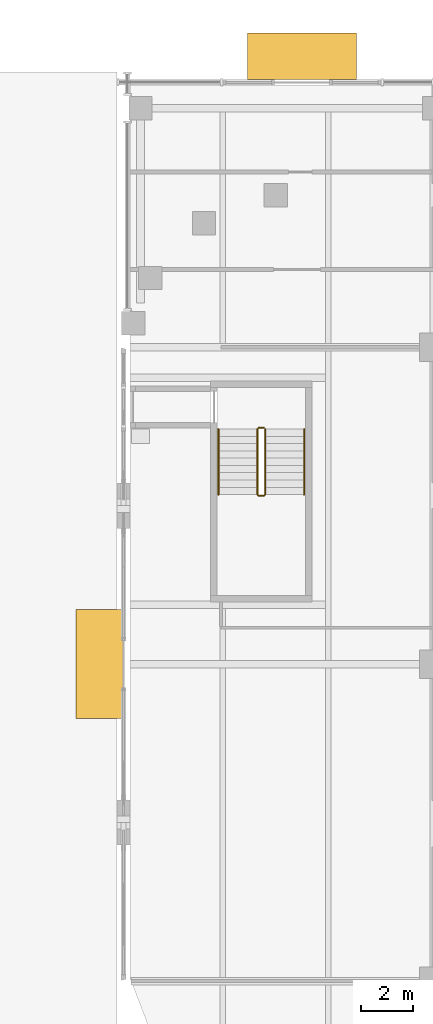
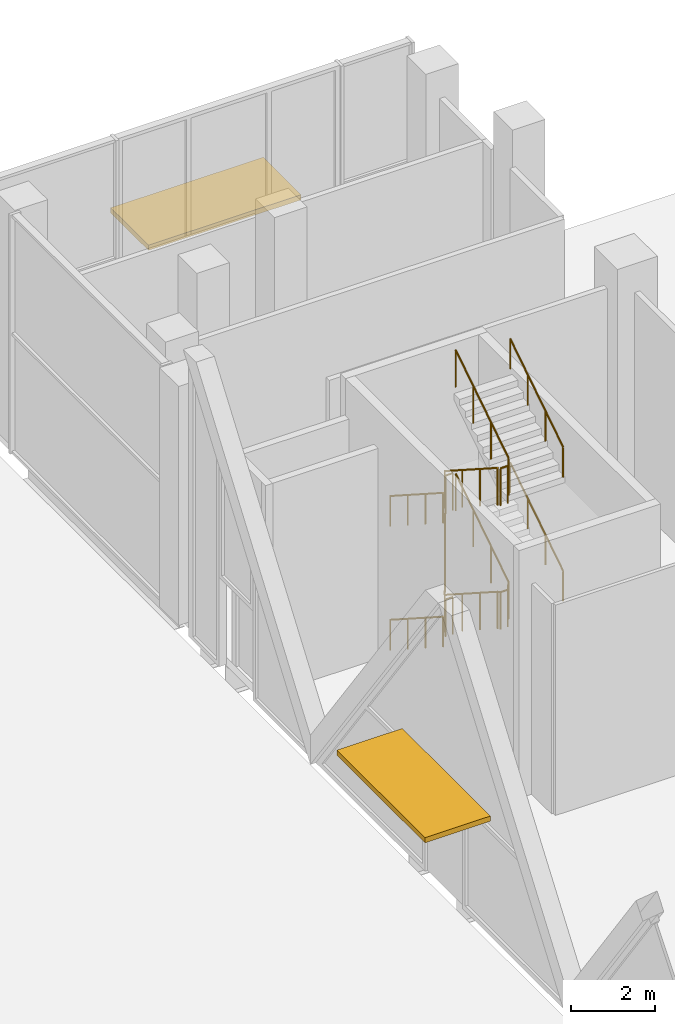
# One storey, part 29 of 36: 9 railings, 2 shading devices.
"""IFC4 building model written with IfcOpenShell, lengths in metres."""

from ifc_helpers import new_model, si_unit, direction, frame, origin, origin_2d, place, context, subcontext, project, spatial, rectangle, circle, extrude, material, layer, layer_set, type_object, element, save


model = new_model("IFC4")

# Units and contexts
model_context = context("Model", 3, precision=1e-05, world=origin(), true_north=direction((0.0, 1.0)))
body_context = subcontext(model_context, "Body", "Model", "MODEL_VIEW")
ifc_project = project(units=[si_unit("LENGTHUNIT", "METRE"), si_unit("AREAUNIT", "SQUARE_METRE"), si_unit("VOLUMEUNIT", "CUBIC_METRE"), si_unit("PLANEANGLEUNIT", "RADIAN"), si_unit("MASSUNIT", "GRAM", prefix="KILO")], contexts=[model_context])

# Site, building, storey
site_placement = place(None, origin())
site = spatial("IfcSite", under=ifc_project, at=site_placement, CompositionType="ELEMENT")
building_placement = place(site_placement, origin())
building = spatial("IfcBuilding", under=site, at=building_placement, Name="Tessera Gate Towers", CompositionType="ELEMENT")
storey_placement = place(building_placement, origin())
storey = spatial("IfcBuildingStorey", under=building, at=storey_placement, Name="L00", CompositionType="ELEMENT", Elevation=0.0)

# Shading devices
ifc_material_1 = material(Name="Powder-coated steel and laminated glass", Category="steel")
ifc_layer = layer(ifc_material_1, 0.14990234375)
ifc_layer_set = layer_set([ifc_layer], Name="AW1 entrance canopy")
shading_device_type = type_object("IfcShadingDeviceType", Name="AW1 entrance canopy", PredefinedType="AWNING", material=ifc_layer_set)
for number, where, z_axis, x_axis, name in (
    (1, (-0.679931640625, 36.60009765625, 3.25), (0.0, 0.0, 1.0), (0.0, -1.0, 0.0), "Entrance canopy T1 AW1-0002"),
    (2, (7.11669921875, 60.0, 3.25), (0.0, 0.0, 1.0), (-1.0, 0.0, 0.0), "Entrance canopy PD AW1-0007"),
):
    element("IfcShadingDevice", number, at=place(storey_placement, frame(where, z_axis=z_axis, x_axis=x_axis)), inside=storey, type_object=shading_device_type, Name=name, PredefinedType="AWNING", context=body_context, shape_type="SweptSolid", body=[
        extrude(rectangle(XDim=4.199951171875, YDim=1.800048828125, at=origin_2d()), origin(), (0.0, 0.0, 1.0), 0.14990234375),
    ])

# Railings
ifc_material_2 = material(Name="Steel 350W", Category="steel")
railing_type_1 = type_object("IfcRailingType", Name="STAIR GUARD 1100", PredefinedType="GUARDRAIL", material=ifc_material_2)
railing_1_placement = place(storey_placement, frame((5.64990234375, 45.699951171875, 3.60009765625)))
element("IfcRailing", 3, at=railing_1_placement, inside=storey, type_object=railing_type_1, Name="L00 ST3 stair guard 1", PredefinedType="GUARDRAIL", context=body_context, shape_type="SweptSolid", body=[
    extrude(circle(Radius=0.02392578125, at=origin_2d()), frame((0.0, 0.0, 1.076171875), z_axis=(-1.0, 0.0, 0.0), x_axis=(0.0, -1.0, 0.0)), (0.0, 0.0, 1.0), 0.199951171875),
    extrude(circle(Radius=0.02392578125, at=origin_2d()), frame((-0.199951171875, 0.0, 1.076171875), z_axis=(-0.014630317356, -0.014630317356, -0.999785930901), x_axis=(0.707106781187, -0.707106781187, 0.0)), (0.0, 0.0, 1.0), 3.4208984375),
    extrude(circle(Radius=0.02392578125, at=origin_2d()), frame((-0.25, -0.050048828125, -2.34423828125), z_axis=(0.0, -0.841162588446, 0.540782303519), x_axis=(1.0, 0.0, 0.0)), (0.0, 0.0, 1.0), 2.995849609375),
    extrude(circle(Radius=0.02392578125, at=origin_2d()), frame((-0.25, -2.570068359375, -0.72412109375), z_axis=(0.708833529934, -0.705375805398, 0.0), x_axis=(0.705375805398, 0.708833529934, 0.0)), (0.0, 0.0, 1.0), 0.070556640625),
    extrude(circle(Radius=0.02392578125, at=origin_2d()), frame((-0.199951171875, -2.619873046875, -0.72412109375), z_axis=(1.0, 0.0, 0.0), x_axis=(0.0, 1.0, 0.0)), (0.0, 0.0, 1.0), 0.199951171875),
    extrude(circle(Radius=0.02392578125, at=origin_2d()), frame((0.0, -2.619873046875, -0.72412109375), z_axis=(0.258932105505, 0.257669022063, 0.930892496375), x_axis=(-0.705375805398, 0.708833529934, 0.0)), (0.0, 0.0, 1.0), 0.193359375),
    extrude(circle(Radius=0.02392578125, at=origin_2d()), frame((0.050048828125, -2.570068359375, -0.5439453125), z_axis=(0.0, 0.841162588446, 0.540782303519), x_axis=(-1.0, 0.0, 0.0)), (0.0, 0.0, 1.0), 2.995849609375),
    extrude(circle(Radius=0.02099609375, at=origin_2d()), origin(), (0.0, 0.0, 1.0), 1.052001953125),
    extrude(circle(Radius=0.02099609375, at=origin_2d()), frame((-0.199951171875, 0.0, 0.0)), (0.0, 0.0, 1.0), 1.052001953125),
    extrude(circle(Radius=0.02099609375, at=origin_2d()), frame((-0.216552734375, -0.0166015625, -1.14013671875)), (0.0, 0.0, 1.0), 1.052001953125),
    extrude(circle(Radius=0.02099609375, at=origin_2d()), frame((-0.2333984375, -0.033447265625, -2.280029296875)), (0.0, 0.0, 1.0), 1.052001953125),
    extrude(circle(Radius=0.02099609375, at=origin_2d()), frame((-0.25, -0.050048828125, -3.420166015625)), (0.0, 0.0, 1.0), 1.052001953125),
    extrude(circle(Radius=0.02099609375, at=origin_2d()), frame((-0.25, -0.89013671875, -2.880126953125)), (0.0, 0.0, 1.0), 1.052001953125),
    extrude(circle(Radius=0.02099609375, at=origin_2d()), frame((-0.25, -1.72998046875, -2.340087890625)), (0.0, 0.0, 1.0), 1.052001953125),
    extrude(circle(Radius=0.02099609375, at=origin_2d()), frame((-0.25, -2.570068359375, -1.800048828125)), (0.0, 0.0, 1.0), 1.052001953125),
    extrude(circle(Radius=0.02099609375, at=origin_2d()), frame((-0.199951171875, -2.619873046875, -1.800048828125)), (0.0, 0.0, 1.0), 1.052001953125),
    extrude(circle(Radius=0.02099609375, at=origin_2d()), frame((0.0, -2.619873046875, -1.800048828125)), (0.0, 0.0, 1.0), 1.052001953125),
    extrude(circle(Radius=0.02099609375, at=origin_2d()), frame((0.050048828125, -2.570068359375, -1.6201171875)), (0.0, 0.0, 1.0), 1.052001953125),
    extrude(circle(Radius=0.02099609375, at=origin_2d()), frame((0.050048828125, -1.72998046875, -1.080078125)), (0.0, 0.0, 1.0), 1.052001953125),
    extrude(circle(Radius=0.02099609375, at=origin_2d()), frame((0.050048828125, -0.89013671875, -0.5400390625)), (0.0, 0.0, 1.0), 1.052001953125),
    extrude(circle(Radius=0.02099609375, at=origin_2d()), frame((0.050048828125, -0.050048828125, 0.0)), (0.0, 0.0, 1.0), 1.052001953125),
])
railing_2_placement = place(storey_placement, frame((5.39990234375, 45.64990234375, 3.780029296875)))
element("IfcRailing", 4, at=railing_2_placement, inside=storey, type_object=railing_type_1, Name="L00 ST3 stair guard 5", PredefinedType="GUARDRAIL", context=body_context, shape_type="SweptSolid", body=[
    extrude(circle(Radius=0.02392578125, at=origin_2d()), frame((0.0, 0.0, 1.076171875), z_axis=(0.0, -0.841199657755, 0.540724639528), x_axis=(1.0, 0.0, 0.0)), (0.0, 0.0, 1.0), 2.995849609375),
    extrude(circle(Radius=0.02099609375, at=origin_2d()), origin(), (0.0, 0.0, 1.0), 1.052001953125),
    extrude(circle(Radius=0.02099609375, at=origin_2d()), frame((0.0, -0.840087890625, 0.5400390625)), (0.0, 0.0, 1.0), 1.052001953125),
    extrude(circle(Radius=0.02099609375, at=origin_2d()), frame((0.0, -1.679931640625, 1.079833984375)), (0.0, 0.0, 1.0), 1.052001953125),
    extrude(circle(Radius=0.02099609375, at=origin_2d()), frame((0.0, -2.52001953125, 1.619873046875)), (0.0, 0.0, 1.0), 1.052001953125),
])
railing_3_placement = place(storey_placement, frame((5.449951171875, 43.080078125, 5.39990234375)))
element("IfcRailing", 5, at=railing_3_placement, inside=storey, type_object=railing_type_1, Name="L00 ST3 stair guard 6", PredefinedType="GUARDRAIL", context=body_context, shape_type="SweptSolid", body=[
    extrude(circle(Radius=0.02392578125, at=origin_2d()), frame((0.0, 0.0, 1.076171875), z_axis=(1.0, 0.0, 0.0), x_axis=(0.0, 1.0, 0.0)), (0.0, 0.0, 1.0), 0.199951171875),
    extrude(circle(Radius=0.02099609375, at=origin_2d()), origin(), (0.0, 0.0, 1.0), 1.052001953125),
    extrude(circle(Radius=0.02099609375, at=origin_2d()), frame((0.199951171875, 0.0, 0.0)), (0.0, 0.0, 1.0), 1.052001953125),
])
railing_4_placement = place(storey_placement, frame((5.699951171875, 43.1298828125, 5.580078125)))
element("IfcRailing", 6, at=railing_4_placement, inside=storey, type_object=railing_type_1, Name="L00 ST3 stair guard 7", PredefinedType="GUARDRAIL", context=body_context, shape_type="SweptSolid", body=[
    extrude(circle(Radius=0.02392578125, at=origin_2d()), frame((0.0, 0.0, 1.076171875), z_axis=(0.0, 0.841199657755, 0.540724639528), x_axis=(-1.0, 0.0, 0.0)), (0.0, 0.0, 1.0), 2.995849609375),
    extrude(circle(Radius=0.02099609375, at=origin_2d()), origin(), (0.0, 0.0, 1.0), 1.052001953125),
    extrude(circle(Radius=0.02099609375, at=origin_2d()), frame((0.0, 0.840087890625, 0.5400390625)), (0.0, 0.0, 1.0), 1.052001953125),
    extrude(circle(Radius=0.02099609375, at=origin_2d()), frame((0.0, 1.679931640625, 1.079833984375)), (0.0, 0.0, 1.0), 1.052001953125),
    extrude(circle(Radius=0.02099609375, at=origin_2d()), frame((0.0, 2.52001953125, 1.619873046875)), (0.0, 0.0, 1.0), 1.052001953125),
])
railing_5_placement = place(storey_placement, frame((5.449951171875, 45.699951171875, 0.0)))
element("IfcRailing", 7, at=railing_5_placement, inside=storey, type_object=railing_type_1, Name="L00 ST3 stair guard 8", PredefinedType="GUARDRAIL", context=body_context, shape_type="SweptSolid", body=[
    extrude(circle(Radius=0.02392578125, at=origin_2d()), frame((0.0, 0.0, 1.076171875), z_axis=(1.0, 0.0, 0.0), x_axis=(0.0, 1.0, 0.0)), (0.0, 0.0, 1.0), 0.199951171875),
    extrude(circle(Radius=0.02099609375, at=origin_2d()), origin(), (0.0, 0.0, 1.0), 1.052001953125),
    extrude(circle(Radius=0.02099609375, at=origin_2d()), frame((0.199951171875, 0.0, 0.0)), (0.0, 0.0, 1.0), 1.052001953125),
])
ifc_material_3 = material(Name="Steel 350W", Category="steel")
railing_type_2 = type_object("IfcRailingType", Name="STAIR HANDRAIL 900", PredefinedType="HANDRAIL", material=ifc_material_3)
railing_6_placement = place(storey_placement, frame((3.89990234375, 45.64990234375, 0.179931640625)))
element("IfcRailing", 8, at=railing_6_placement, inside=storey, type_object=railing_type_2, Name="L00 ST3 stair handrail 1", PredefinedType="HANDRAIL", context=body_context, shape_type="SweptSolid", body=[
    extrude(circle(Radius=0.02392578125, at=origin_2d()), frame((0.0, 0.0, 0.8759765625), z_axis=(0.0, -0.841162588446, 0.540782303519), x_axis=(1.0, 0.0, 0.0)), (0.0, 0.0, 1.0), 2.995849609375),
    extrude(circle(Radius=0.02099609375, at=origin_2d()), origin(), (0.0, 0.0, 1.0), 0.851806640625),
    extrude(circle(Radius=0.02099609375, at=origin_2d()), frame((0.0, -0.840087890625, 0.5400390625)), (0.0, 0.0, 1.0), 0.851806640625),
    extrude(circle(Radius=0.02099609375, at=origin_2d()), frame((0.0, -1.679931640625, 1.080078125)), (0.0, 0.0, 1.0), 0.851806640625),
    extrude(circle(Radius=0.02099609375, at=origin_2d()), frame((0.0, -2.52001953125, 1.6201171875)), (0.0, 0.0, 1.0), 0.851806640625),
])
railing_7_placement = place(storey_placement, frame((7.199951171875, 43.1298828125, 1.97998046875)))
element("IfcRailing", 9, at=railing_7_placement, inside=storey, type_object=railing_type_2, Name="L00 ST3 stair handrail 2", PredefinedType="HANDRAIL", context=body_context, shape_type="SweptSolid", body=[
    extrude(circle(Radius=0.02392578125, at=origin_2d()), frame((0.0, 0.0, 0.8759765625), z_axis=(0.0, 0.841162588446, 0.540782303519), x_axis=(-1.0, 0.0, 0.0)), (0.0, 0.0, 1.0), 2.995849609375),
    extrude(circle(Radius=0.02099609375, at=origin_2d()), origin(), (0.0, 0.0, 1.0), 0.851806640625),
    extrude(circle(Radius=0.02099609375, at=origin_2d()), frame((0.0, 0.840087890625, 0.5400390625)), (0.0, 0.0, 1.0), 0.851806640625),
    extrude(circle(Radius=0.02099609375, at=origin_2d()), frame((0.0, 1.679931640625, 1.080078125)), (0.0, 0.0, 1.0), 0.851806640625),
    extrude(circle(Radius=0.02099609375, at=origin_2d()), frame((0.0, 2.52001953125, 1.6201171875)), (0.0, 0.0, 1.0), 0.851806640625),
])
railing_8_placement = place(storey_placement, frame((3.89990234375, 45.64990234375, 3.780029296875)))
element("IfcRailing", 10, at=railing_8_placement, inside=storey, type_object=railing_type_2, Name="L00 ST3 stair handrail 3", PredefinedType="HANDRAIL", context=body_context, shape_type="SweptSolid", body=[
    extrude(circle(Radius=0.02392578125, at=origin_2d()), frame((0.0, 0.0, 0.8759765625), z_axis=(0.0, -0.841199657755, 0.540724639528), x_axis=(1.0, 0.0, 0.0)), (0.0, 0.0, 1.0), 2.995849609375),
    extrude(circle(Radius=0.02099609375, at=origin_2d()), origin(), (0.0, 0.0, 1.0), 0.851806640625),
    extrude(circle(Radius=0.02099609375, at=origin_2d()), frame((0.0, -0.840087890625, 0.5400390625)), (0.0, 0.0, 1.0), 0.851806640625),
    extrude(circle(Radius=0.02099609375, at=origin_2d()), frame((0.0, -1.679931640625, 1.079833984375)), (0.0, 0.0, 1.0), 0.851806640625),
    extrude(circle(Radius=0.02099609375, at=origin_2d()), frame((0.0, -2.52001953125, 1.619873046875)), (0.0, 0.0, 1.0), 0.851806640625),
])
railing_9_placement = place(storey_placement, frame((7.199951171875, 43.1298828125, 5.580078125)))
element("IfcRailing", 11, at=railing_9_placement, inside=storey, type_object=railing_type_2, Name="L00 ST3 stair handrail 4", PredefinedType="HANDRAIL", context=body_context, shape_type="SweptSolid", body=[
    extrude(circle(Radius=0.02392578125, at=origin_2d()), frame((0.0, 0.0, 0.8759765625), z_axis=(0.0, 0.841199657755, 0.540724639528), x_axis=(-1.0, 0.0, 0.0)), (0.0, 0.0, 1.0), 2.995849609375),
    extrude(circle(Radius=0.02099609375, at=origin_2d()), origin(), (0.0, 0.0, 1.0), 0.851806640625),
    extrude(circle(Radius=0.02099609375, at=origin_2d()), frame((0.0, 0.840087890625, 0.5400390625)), (0.0, 0.0, 1.0), 0.851806640625),
    extrude(circle(Radius=0.02099609375, at=origin_2d()), frame((0.0, 1.679931640625, 1.079833984375)), (0.0, 0.0, 1.0), 0.851806640625),
    extrude(circle(Radius=0.02099609375, at=origin_2d()), frame((0.0, 2.52001953125, 1.619873046875)), (0.0, 0.0, 1.0), 0.851806640625),
])

save(model, "model.ifc")
